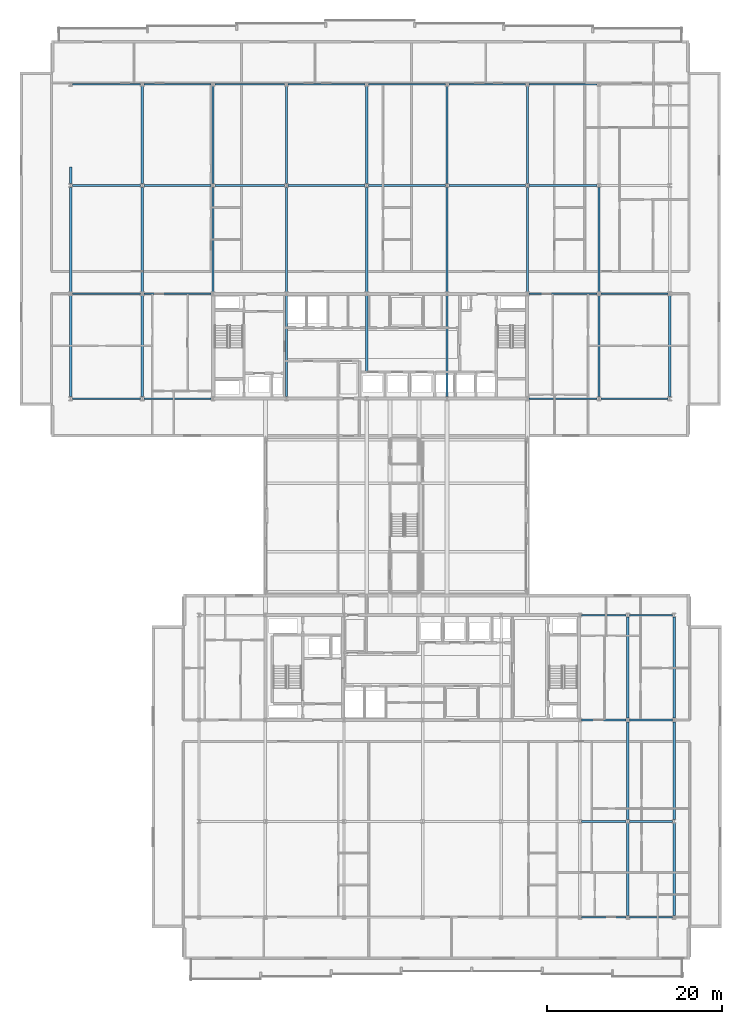
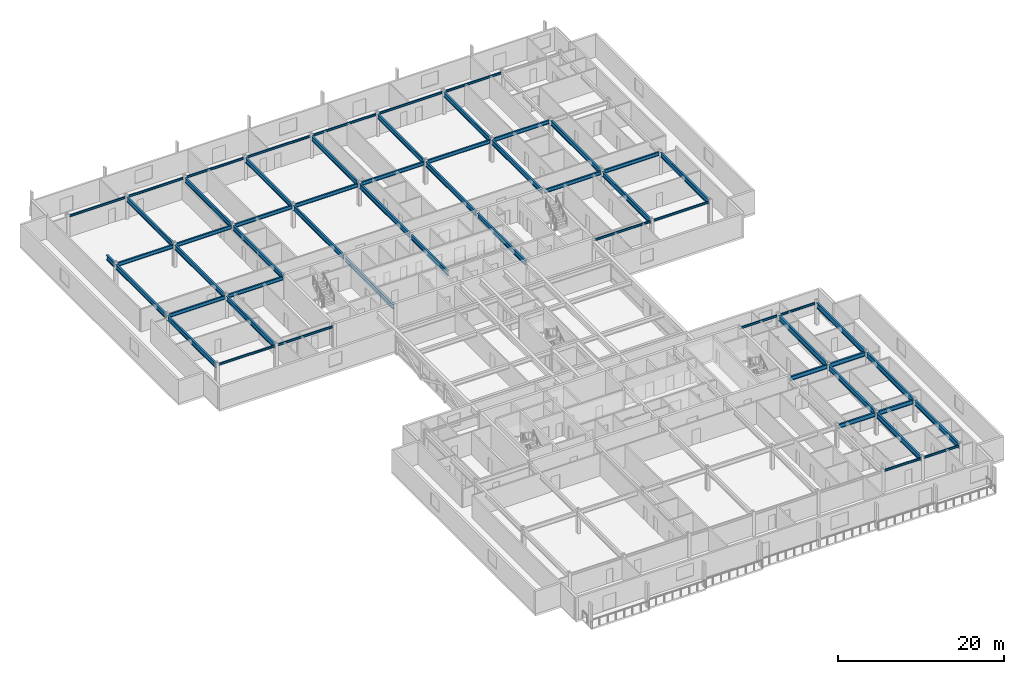
# One storey, part 13 of 35: 58 beams.
"""IFC4 building model written with IfcOpenShell, lengths in metres."""

from ifc_helpers import new_model, si_unit, direction, frame, origin, origin_2d, place, context, subcontext, project, spatial, i_section, extrude, material, material_profile, profile_set, type_object, element, save


model = new_model("IFC4")

# Units and contexts
model_context = context("Model", 3, precision=1e-05, world=origin(), true_north=direction((0.0, 1.0)))
body_context = subcontext(model_context, "Body", "Model", "MODEL_VIEW")
ifc_project = project(units=[si_unit("LENGTHUNIT", "METRE"), si_unit("AREAUNIT", "SQUARE_METRE"), si_unit("VOLUMEUNIT", "CUBIC_METRE"), si_unit("PLANEANGLEUNIT", "RADIAN"), si_unit("MASSUNIT", "GRAM", prefix="KILO")], contexts=[model_context])

# Site, building, storey
site_placement = place(None, origin())
site = spatial("IfcSite", under=ifc_project, at=site_placement, CompositionType="ELEMENT")
building_placement = place(site_placement, origin())
building = spatial("IfcBuilding", under=site, at=building_placement, Name="Korimba Cascade Residences", CompositionType="ELEMENT")
storey_placement = place(building_placement, frame((0.0, 0.0, 150.10009765625)))
storey = spatial("IfcBuildingStorey", under=building, at=storey_placement, Name="L43", CompositionType="ELEMENT", Elevation=150.10009765625)

# Beams
ifc_material = material(Name="Steel S355", Category="steel")
ifc_material_profile_1 = material_profile(ifc_material, i_section(OverallWidth=0.165771484375, OverallDepth=0.306640625, WebThickness=0.006591796875, FlangeThickness=0.01171875, FilletRadius=0.0087890625, at=origin_2d()), Name="Steel S355")
ifc_profile_set_1 = profile_set([ifc_material_profile_1], Name="Steel S355")
beam_type_1 = type_object("IfcBeamType", Name="BM-STL-UB305", PredefinedType="SPANDREL", material=ifc_profile_set_1)
beam_1_placement = place(storey_placement, frame((60.006103515625, 55.199951171875, 3.156494140625), z_axis=(1.0, 0.0, 0.0), x_axis=(0.0, 1.0, 0.0)))
element("IfcBeam", 1, at=beam_1_placement, inside=storey, type_object=beam_type_1, Name="L43 T1 E-W Girder Y1 Bay 1", PredefinedType="SPANDREL", context=body_context, shape_type="SweptSolid", body=[
    extrude(i_section(OverallWidth=0.165771484375, OverallDepth=0.306640625, WebThickness=0.006591796875, FlangeThickness=0.01171875, FilletRadius=0.0087890625, at=origin_2d()), origin(), (0.0, 0.0, 1.0), 7.787841796875),
])
beam_2_placement = place(storey_placement, frame((68.2060546875, 55.199951171875, 3.156494140625), z_axis=(1.0, 0.0, 0.0), x_axis=(0.0, 1.0, 0.0)))
element("IfcBeam", 2, at=beam_2_placement, inside=storey, type_object=beam_type_1, Name="L43 T1 E-W Girder Y1 Bay 2", PredefinedType="SPANDREL", context=body_context, shape_type="SweptSolid", body=[
    extrude(i_section(OverallWidth=0.165771484375, OverallDepth=0.306640625, WebThickness=0.006591796875, FlangeThickness=0.01171875, FilletRadius=0.0087890625, at=origin_2d()), origin(), (0.0, 0.0, 1.0), 7.687744140625),
])
beam_3_placement = place(storey_placement, frame((112.30615234375, 55.199951171875, 3.156494140625), z_axis=(1.0, 0.0, 0.0), x_axis=(0.0, 1.0, 0.0)))
element("IfcBeam", 3, at=beam_3_placement, inside=storey, type_object=beam_type_1, Name="L43 T1 E-W Girder Y1 Bay 7", PredefinedType="SPANDREL", context=body_context, shape_type="SweptSolid", body=[
    extrude(i_section(OverallWidth=0.165771484375, OverallDepth=0.306640625, WebThickness=0.006591796875, FlangeThickness=0.01171875, FilletRadius=0.0087890625, at=origin_2d()), origin(), (0.0, 0.0, 1.0), 7.787841796875),
])
beam_4_placement = place(storey_placement, frame((120.506103515625, 55.199951171875, 3.156494140625), z_axis=(1.0, 0.0, 0.0), x_axis=(0.0, 1.0, 0.0)))
element("IfcBeam", 4, at=beam_4_placement, inside=storey, type_object=beam_type_1, Name="L43 T1 E-W Girder Y1 Bay 8", PredefinedType="SPANDREL", context=body_context, shape_type="SweptSolid", body=[
    extrude(i_section(OverallWidth=0.165771484375, OverallDepth=0.306640625, WebThickness=0.006591796875, FlangeThickness=0.01171875, FilletRadius=0.0087890625, at=origin_2d()), origin(), (0.0, 0.0, 1.0), 7.687744140625),
])
beam_5_placement = place(storey_placement, frame((60.006103515625, 91.199951171875, 3.156494140625), z_axis=(1.0, 0.0, 0.0), x_axis=(0.0, 1.0, 0.0)))
element("IfcBeam", 5, at=beam_5_placement, inside=storey, type_object=beam_type_1, Name="L43 T1 E-W Girder Y4 Bay 1", PredefinedType="SPANDREL", context=body_context, shape_type="SweptSolid", body=[
    extrude(i_section(OverallWidth=0.165771484375, OverallDepth=0.306640625, WebThickness=0.006591796875, FlangeThickness=0.01171875, FilletRadius=0.0087890625, at=origin_2d()), origin(), (0.0, 0.0, 1.0), 7.787841796875),
])
beam_6_placement = place(storey_placement, frame((68.2060546875, 91.199951171875, 3.156494140625), z_axis=(1.0, 0.0, 0.0), x_axis=(0.0, 1.0, 0.0)))
element("IfcBeam", 6, at=beam_6_placement, inside=storey, type_object=beam_type_1, Name="L43 T1 E-W Girder Y4 Bay 2", PredefinedType="SPANDREL", context=body_context, shape_type="SweptSolid", body=[
    extrude(i_section(OverallWidth=0.165771484375, OverallDepth=0.306640625, WebThickness=0.006591796875, FlangeThickness=0.01171875, FilletRadius=0.0087890625, at=origin_2d()), origin(), (0.0, 0.0, 1.0), 7.687744140625),
])
beam_7_placement = place(storey_placement, frame((76.30615234375, 91.199951171875, 3.156494140625), z_axis=(1.0, 0.0, 0.0), x_axis=(0.0, 1.0, 0.0)))
element("IfcBeam", 7, at=beam_7_placement, inside=storey, type_object=beam_type_1, Name="L43 T1 E-W Girder Y4 Bay 3", PredefinedType="SPANDREL", context=body_context, shape_type="SweptSolid", body=[
    extrude(i_section(OverallWidth=0.165771484375, OverallDepth=0.306640625, WebThickness=0.006591796875, FlangeThickness=0.01171875, FilletRadius=0.0087890625, at=origin_2d()), origin(), (0.0, 0.0, 1.0), 7.98779296875),
])
for number, where, z_axis, x_axis, name in (
    (8, (84.7060546875, 91.199951171875, 3.156494140625), (1.0, 0.0, 0.0), (0.0, 1.0, 0.0), "L43 T1 E-W Girder Y4 Bay 4"),
    (9, (93.906005859375, 91.199951171875, 3.156494140625), (1.0, 0.0, 0.0), (0.0, 1.0, 0.0), "L43 T1 E-W Girder Y4 Bay 5"),
):
    element("IfcBeam", number, at=place(storey_placement, frame(where, z_axis=z_axis, x_axis=x_axis)), inside=storey, type_object=beam_type_1, Name=name, PredefinedType="SPANDREL", context=body_context, shape_type="SweptSolid", body=[
        extrude(i_section(OverallWidth=0.165771484375, OverallDepth=0.306640625, WebThickness=0.006591796875, FlangeThickness=0.01171875, FilletRadius=0.0087890625, at=origin_2d()), origin(), (0.0, 0.0, 1.0), 8.787841796875),
    ])
beam_8_placement = place(storey_placement, frame((103.106201171875, 91.199951171875, 3.156494140625), z_axis=(1.0, 0.0, 0.0), x_axis=(0.0, 1.0, 0.0)))
element("IfcBeam", 10, at=beam_8_placement, inside=storey, type_object=beam_type_1, Name="L43 T1 E-W Girder Y4 Bay 6", PredefinedType="SPANDREL", context=body_context, shape_type="SweptSolid", body=[
    extrude(i_section(OverallWidth=0.165771484375, OverallDepth=0.306640625, WebThickness=0.006591796875, FlangeThickness=0.01171875, FilletRadius=0.0087890625, at=origin_2d()), origin(), (0.0, 0.0, 1.0), 8.78759765625),
])
beam_9_placement = place(storey_placement, frame((112.30615234375, 91.199951171875, 3.156494140625), z_axis=(1.0, 0.0, 0.0), x_axis=(0.0, 1.0, 0.0)))
element("IfcBeam", 11, at=beam_9_placement, inside=storey, type_object=beam_type_1, Name="L43 T1 E-W Girder Y4 Bay 7", PredefinedType="SPANDREL", context=body_context, shape_type="SweptSolid", body=[
    extrude(i_section(OverallWidth=0.165771484375, OverallDepth=0.306640625, WebThickness=0.006591796875, FlangeThickness=0.01171875, FilletRadius=0.0087890625, at=origin_2d()), origin(), (0.0, 0.0, 1.0), 7.787841796875),
])
beam_10_placement = place(storey_placement, frame((118.301513671875, -4.199951171875, 3.156494140625), z_axis=(1.0, 0.0, 0.0), x_axis=(0.0, 1.0, 0.0)))
element("IfcBeam", 12, at=beam_10_placement, inside=storey, type_object=beam_type_1, Name="L43 T2 E-W Girder Y1 Bay 6", PredefinedType="SPANDREL", context=body_context, shape_type="SweptSolid", body=[
    extrude(i_section(OverallWidth=0.165771484375, OverallDepth=0.306640625, WebThickness=0.006591796875, FlangeThickness=0.01171875, FilletRadius=0.0087890625, at=origin_2d()), origin(), (0.0, 0.0, 1.0), 5.096923828125),
])
beam_11_placement = place(storey_placement, frame((123.801513671875, -4.199951171875, 3.156494140625), z_axis=(1.0, 0.0, 0.0), x_axis=(0.0, 1.0, 0.0)))
element("IfcBeam", 13, at=beam_11_placement, inside=storey, type_object=beam_type_1, Name="L43 T2 E-W Girder Y1 Bay 7", PredefinedType="SPANDREL", context=body_context, shape_type="SweptSolid", body=[
    extrude(i_section(OverallWidth=0.165771484375, OverallDepth=0.306640625, WebThickness=0.006591796875, FlangeThickness=0.01171875, FilletRadius=0.0087890625, at=origin_2d()), origin(), (0.0, 0.0, 1.0), 4.89697265625),
])
beam_12_placement = place(storey_placement, frame((118.301513671875, 30.39990234375, 3.156494140625), z_axis=(1.0, 0.0, 0.0), x_axis=(0.0, 1.0, 0.0)))
element("IfcBeam", 14, at=beam_12_placement, inside=storey, type_object=beam_type_1, Name="L43 T2 E-W Girder Y4 Bay 6", PredefinedType="SPANDREL", context=body_context, shape_type="SweptSolid", body=[
    extrude(i_section(OverallWidth=0.165771484375, OverallDepth=0.306640625, WebThickness=0.006591796875, FlangeThickness=0.01171875, FilletRadius=0.0087890625, at=origin_2d()), origin(), (0.0, 0.0, 1.0), 5.096923828125),
])
beam_13_placement = place(storey_placement, frame((123.801513671875, 30.39990234375, 3.156494140625), z_axis=(1.0, 0.0, 0.0), x_axis=(0.0, 1.0, 0.0)))
element("IfcBeam", 15, at=beam_13_placement, inside=storey, type_object=beam_type_1, Name="L43 T2 E-W Girder Y4 Bay 7", PredefinedType="SPANDREL", context=body_context, shape_type="SweptSolid", body=[
    extrude(i_section(OverallWidth=0.165771484375, OverallDepth=0.306640625, WebThickness=0.006591796875, FlangeThickness=0.01171875, FilletRadius=0.0087890625, at=origin_2d()), origin(), (0.0, 0.0, 1.0), 4.89697265625),
])
ifc_material_profile_2 = material_profile(ifc_material, i_section(OverallWidth=0.2099609375, OverallDepth=0.53662109375, WebThickness=0.0107421875, FlangeThickness=0.017333984375, FilletRadius=0.0126953125, at=origin_2d()), Name="Steel S355")
ifc_profile_set_2 = profile_set([ifc_material_profile_2], Name="Steel S355")
beam_type_2 = type_object("IfcBeamType", Name="BM-STL-UB533", PredefinedType="BEAM", material=ifc_profile_set_2)
beam_14_placement = place(storey_placement, frame((60.006103515625, 67.199951171875, 3.04150390625), z_axis=(1.0, 0.0, 0.0), x_axis=(0.0, 1.0, 0.0)))
element("IfcBeam", 16, at=beam_14_placement, inside=storey, type_object=beam_type_2, Name="L43 T1 E-W Girder Y2 Bay 1", PredefinedType="BEAM", context=body_context, shape_type="SweptSolid", body=[
    extrude(i_section(OverallWidth=0.2099609375, OverallDepth=0.53662109375, WebThickness=0.0107421875, FlangeThickness=0.017333984375, FilletRadius=0.0126953125, at=origin_2d()), origin(), (0.0, 0.0, 1.0), 7.787841796875),
])
beam_15_placement = place(storey_placement, frame((68.2060546875, 67.199951171875, 3.04150390625), z_axis=(1.0, 0.0, 0.0), x_axis=(0.0, 1.0, 0.0)))
element("IfcBeam", 17, at=beam_15_placement, inside=storey, type_object=beam_type_2, Name="L43 T1 E-W Girder Y2 Bay 2", PredefinedType="BEAM", context=body_context, shape_type="SweptSolid", body=[
    extrude(i_section(OverallWidth=0.2099609375, OverallDepth=0.53662109375, WebThickness=0.0107421875, FlangeThickness=0.017333984375, FilletRadius=0.0126953125, at=origin_2d()), origin(), (0.0, 0.0, 1.0), 7.687744140625),
])
beam_16_placement = place(storey_placement, frame((112.30615234375, 67.199951171875, 3.04150390625), z_axis=(1.0, 0.0, 0.0), x_axis=(0.0, 1.0, 0.0)))
element("IfcBeam", 18, at=beam_16_placement, inside=storey, type_object=beam_type_2, Name="L43 T1 E-W Girder Y2 Bay 7", PredefinedType="BEAM", context=body_context, shape_type="SweptSolid", body=[
    extrude(i_section(OverallWidth=0.2099609375, OverallDepth=0.53662109375, WebThickness=0.0107421875, FlangeThickness=0.017333984375, FilletRadius=0.0126953125, at=origin_2d()), origin(), (0.0, 0.0, 1.0), 7.787841796875),
])
beam_17_placement = place(storey_placement, frame((120.506103515625, 67.199951171875, 3.04150390625), z_axis=(1.0, 0.0, 0.0), x_axis=(0.0, 1.0, 0.0)))
element("IfcBeam", 19, at=beam_17_placement, inside=storey, type_object=beam_type_2, Name="L43 T1 E-W Girder Y2 Bay 8", PredefinedType="BEAM", context=body_context, shape_type="SweptSolid", body=[
    extrude(i_section(OverallWidth=0.2099609375, OverallDepth=0.53662109375, WebThickness=0.0107421875, FlangeThickness=0.017333984375, FilletRadius=0.0126953125, at=origin_2d()), origin(), (0.0, 0.0, 1.0), 7.687744140625),
])
beam_18_placement = place(storey_placement, frame((60.006103515625, 79.60009765625, 3.04150390625), z_axis=(1.0, 0.0, 0.0), x_axis=(0.0, 1.0, 0.0)))
element("IfcBeam", 20, at=beam_18_placement, inside=storey, type_object=beam_type_2, Name="L43 T1 E-W Girder Y3 Bay 1", PredefinedType="BEAM", context=body_context, shape_type="SweptSolid", body=[
    extrude(i_section(OverallWidth=0.2099609375, OverallDepth=0.53662109375, WebThickness=0.0107421875, FlangeThickness=0.017333984375, FilletRadius=0.0126953125, at=origin_2d()), origin(), (0.0, 0.0, 1.0), 7.787841796875),
])
beam_19_placement = place(storey_placement, frame((68.2060546875, 79.60009765625, 3.04150390625), z_axis=(1.0, 0.0, 0.0), x_axis=(0.0, 1.0, 0.0)))
element("IfcBeam", 21, at=beam_19_placement, inside=storey, type_object=beam_type_2, Name="L43 T1 E-W Girder Y3 Bay 2", PredefinedType="BEAM", context=body_context, shape_type="SweptSolid", body=[
    extrude(i_section(OverallWidth=0.2099609375, OverallDepth=0.53662109375, WebThickness=0.0107421875, FlangeThickness=0.017333984375, FilletRadius=0.0126953125, at=origin_2d()), origin(), (0.0, 0.0, 1.0), 7.687744140625),
])
beam_20_placement = place(storey_placement, frame((76.30615234375, 79.60009765625, 3.04150390625), z_axis=(1.0, 0.0, 0.0), x_axis=(0.0, 1.0, 0.0)))
element("IfcBeam", 22, at=beam_20_placement, inside=storey, type_object=beam_type_2, Name="L43 T1 E-W Girder Y3 Bay 3", PredefinedType="BEAM", context=body_context, shape_type="SweptSolid", body=[
    extrude(i_section(OverallWidth=0.2099609375, OverallDepth=0.53662109375, WebThickness=0.0107421875, FlangeThickness=0.017333984375, FilletRadius=0.0126953125, at=origin_2d()), origin(), (0.0, 0.0, 1.0), 7.98779296875),
])
for number, where, z_axis, x_axis, name in (
    (23, (84.7060546875, 79.60009765625, 3.04150390625), (1.0, 0.0, 0.0), (0.0, 1.0, 0.0), "L43 T1 E-W Girder Y3 Bay 4"),
    (24, (93.906005859375, 79.60009765625, 3.04150390625), (1.0, 0.0, 0.0), (0.0, 1.0, 0.0), "L43 T1 E-W Girder Y3 Bay 5"),
):
    element("IfcBeam", number, at=place(storey_placement, frame(where, z_axis=z_axis, x_axis=x_axis)), inside=storey, type_object=beam_type_2, Name=name, PredefinedType="BEAM", context=body_context, shape_type="SweptSolid", body=[
        extrude(i_section(OverallWidth=0.2099609375, OverallDepth=0.53662109375, WebThickness=0.0107421875, FlangeThickness=0.017333984375, FilletRadius=0.0126953125, at=origin_2d()), origin(), (0.0, 0.0, 1.0), 8.787841796875),
    ])
beam_21_placement = place(storey_placement, frame((103.106201171875, 79.60009765625, 3.04150390625), z_axis=(1.0, 0.0, 0.0), x_axis=(0.0, 1.0, 0.0)))
element("IfcBeam", 25, at=beam_21_placement, inside=storey, type_object=beam_type_2, Name="L43 T1 E-W Girder Y3 Bay 6", PredefinedType="BEAM", context=body_context, shape_type="SweptSolid", body=[
    extrude(i_section(OverallWidth=0.2099609375, OverallDepth=0.53662109375, WebThickness=0.0107421875, FlangeThickness=0.017333984375, FilletRadius=0.0126953125, at=origin_2d()), origin(), (0.0, 0.0, 1.0), 8.78759765625),
])
beam_22_placement = place(storey_placement, frame((112.30615234375, 79.60009765625, 3.04150390625), z_axis=(1.0, 0.0, 0.0), x_axis=(0.0, 1.0, 0.0)))
element("IfcBeam", 26, at=beam_22_placement, inside=storey, type_object=beam_type_2, Name="L43 T1 E-W Girder Y3 Bay 7", PredefinedType="BEAM", context=body_context, shape_type="SweptSolid", body=[
    extrude(i_section(OverallWidth=0.2099609375, OverallDepth=0.53662109375, WebThickness=0.0107421875, FlangeThickness=0.017333984375, FilletRadius=0.0126953125, at=origin_2d()), origin(), (0.0, 0.0, 1.0), 7.787841796875),
])
ifc_material_profile_3 = material_profile(ifc_material, i_section(OverallWidth=0.22900390625, OverallDepth=0.6123046875, WebThickness=0.011962890625, FlangeThickness=0.01953125, FilletRadius=0.0126953125, at=origin_2d()), Name="Steel S355")
ifc_profile_set_3 = profile_set([ifc_material_profile_3], Name="Steel S355")
beam_type_3 = type_object("IfcBeamType", Name="BM-STL-UB610B", PredefinedType="BEAM", material=ifc_profile_set_3)
beam_23_placement = place(storey_placement, frame((118.301513671875, 6.800048828125, 3.00390625), z_axis=(1.0, 0.0, 0.0), x_axis=(0.0, 1.0, 0.0)))
element("IfcBeam", 27, at=beam_23_placement, inside=storey, type_object=beam_type_3, Name="L43 T2 E-W Girder Y2 Bay 6", PredefinedType="BEAM", context=body_context, shape_type="SweptSolid", body=[
    extrude(i_section(OverallWidth=0.22900390625, OverallDepth=0.6123046875, WebThickness=0.011962890625, FlangeThickness=0.01953125, FilletRadius=0.0126953125, at=origin_2d()), origin(), (0.0, 0.0, 1.0), 5.096923828125),
])
beam_24_placement = place(storey_placement, frame((123.801513671875, 6.800048828125, 3.00390625), z_axis=(1.0, 0.0, 0.0), x_axis=(0.0, 1.0, 0.0)))
element("IfcBeam", 28, at=beam_24_placement, inside=storey, type_object=beam_type_3, Name="L43 T2 E-W Girder Y2 Bay 7", PredefinedType="BEAM", context=body_context, shape_type="SweptSolid", body=[
    extrude(i_section(OverallWidth=0.22900390625, OverallDepth=0.6123046875, WebThickness=0.011962890625, FlangeThickness=0.01953125, FilletRadius=0.0126953125, at=origin_2d()), origin(), (0.0, 0.0, 1.0), 4.89697265625),
])
beam_25_placement = place(storey_placement, frame((118.301513671875, 18.39990234375, 3.00390625), z_axis=(1.0, 0.0, 0.0), x_axis=(0.0, 1.0, 0.0)))
element("IfcBeam", 29, at=beam_25_placement, inside=storey, type_object=beam_type_3, Name="L43 T2 E-W Girder Y3 Bay 6", PredefinedType="BEAM", context=body_context, shape_type="SweptSolid", body=[
    extrude(i_section(OverallWidth=0.22900390625, OverallDepth=0.6123046875, WebThickness=0.011962890625, FlangeThickness=0.01953125, FilletRadius=0.0126953125, at=origin_2d()), origin(), (0.0, 0.0, 1.0), 5.096923828125),
])
beam_26_placement = place(storey_placement, frame((123.801513671875, 18.39990234375, 3.00390625), z_axis=(1.0, 0.0, 0.0), x_axis=(0.0, 1.0, 0.0)))
element("IfcBeam", 30, at=beam_26_placement, inside=storey, type_object=beam_type_3, Name="L43 T2 E-W Girder Y3 Bay 7", PredefinedType="BEAM", context=body_context, shape_type="SweptSolid", body=[
    extrude(i_section(OverallWidth=0.22900390625, OverallDepth=0.6123046875, WebThickness=0.011962890625, FlangeThickness=0.01953125, FilletRadius=0.0126953125, at=origin_2d()), origin(), (0.0, 0.0, 1.0), 4.89697265625),
])
ifc_material_profile_4 = material_profile(ifc_material, i_section(OverallWidth=0.255859375, OverallDepth=0.69287109375, WebThickness=0.014404296875, FlangeThickness=0.023681640625, FilletRadius=0.01513671875, at=origin_2d()), Name="Steel S355")
ifc_profile_set_4 = profile_set([ifc_material_profile_4], Name="Steel S355")
beam_type_4 = type_object("IfcBeamType", Name="BM-STL-UB686", PredefinedType="BEAM", material=ifc_profile_set_4)
beam_27_placement = place(storey_placement, frame((59.800048828125, 55.418212890625, 2.96337890625), z_axis=(0.0, 1.0, 0.0), x_axis=(-1.0, 0.0, 0.0)))
element("IfcBeam", 31, at=beam_27_placement, inside=storey, type_object=beam_type_4, Name="L43 T1 N-S Girder X1 Seg 1", PredefinedType="BEAM", context=body_context, shape_type="SweptSolid", body=[
    extrude(i_section(OverallWidth=0.255859375, OverallDepth=0.69287109375, WebThickness=0.014404296875, FlangeThickness=0.023681640625, FilletRadius=0.01513671875, at=origin_2d()), origin(), (0.0, 0.0, 1.0), 11.5634765625),
])
beam_28_placement = place(storey_placement, frame((59.800048828125, 67.418212890625, 2.96337890625), z_axis=(0.0, 1.0, 0.0), x_axis=(-1.0, 0.0, 0.0)))
element("IfcBeam", 32, at=beam_28_placement, inside=storey, type_object=beam_type_4, Name="L43 T1 N-S Girder X1 Seg 2", PredefinedType="BEAM", context=body_context, shape_type="SweptSolid", body=[
    extrude(i_section(OverallWidth=0.255859375, OverallDepth=0.69287109375, WebThickness=0.014404296875, FlangeThickness=0.023681640625, FilletRadius=0.01513671875, at=origin_2d()), origin(), (0.0, 0.0, 1.0), 11.96337890625),
])
beam_29_placement = place(storey_placement, frame((59.800048828125, 79.818359375, 2.96337890625), z_axis=(0.0, 1.0, 0.0), x_axis=(-1.0, 0.0, 0.0)))
element("IfcBeam", 33, at=beam_29_placement, inside=storey, type_object=beam_type_4, Name="L43 T1 N-S Girder X1 Seg 3", PredefinedType="BEAM", context=body_context, shape_type="SweptSolid", body=[
    extrude(i_section(OverallWidth=0.255859375, OverallDepth=0.69287109375, WebThickness=0.014404296875, FlangeThickness=0.023681640625, FilletRadius=0.01513671875, at=origin_2d()), origin(), (0.0, 0.0, 1.0), 1.881591796875),
])
beam_30_placement = place(storey_placement, frame((68.0, 55.418212890625, 2.96337890625), z_axis=(0.0, 1.0, 0.0), x_axis=(-1.0, 0.0, 0.0)))
element("IfcBeam", 34, at=beam_30_placement, inside=storey, type_object=beam_type_4, Name="L43 T1 N-S Girder X2 Seg 1", PredefinedType="BEAM", context=body_context, shape_type="SweptSolid", body=[
    extrude(i_section(OverallWidth=0.255859375, OverallDepth=0.69287109375, WebThickness=0.014404296875, FlangeThickness=0.023681640625, FilletRadius=0.01513671875, at=origin_2d()), origin(), (0.0, 0.0, 1.0), 11.5634765625),
])
beam_31_placement = place(storey_placement, frame((68.0, 67.418212890625, 2.96337890625), z_axis=(0.0, 1.0, 0.0), x_axis=(-1.0, 0.0, 0.0)))
element("IfcBeam", 35, at=beam_31_placement, inside=storey, type_object=beam_type_4, Name="L43 T1 N-S Girder X2 Seg 2", PredefinedType="BEAM", context=body_context, shape_type="SweptSolid", body=[
    extrude(i_section(OverallWidth=0.255859375, OverallDepth=0.69287109375, WebThickness=0.014404296875, FlangeThickness=0.023681640625, FilletRadius=0.01513671875, at=origin_2d()), origin(), (0.0, 0.0, 1.0), 11.96337890625),
])
beam_32_placement = place(storey_placement, frame((68.0, 79.818359375, 2.96337890625), z_axis=(0.0, 1.0, 0.0), x_axis=(-1.0, 0.0, 0.0)))
element("IfcBeam", 36, at=beam_32_placement, inside=storey, type_object=beam_type_4, Name="L43 T1 N-S Girder X2 Seg 3", PredefinedType="BEAM", context=body_context, shape_type="SweptSolid", body=[
    extrude(i_section(OverallWidth=0.255859375, OverallDepth=0.69287109375, WebThickness=0.014404296875, FlangeThickness=0.023681640625, FilletRadius=0.01513671875, at=origin_2d()), origin(), (0.0, 0.0, 1.0), 11.163330078125),
])
beam_33_placement = place(storey_placement, frame((76.10009765625, 67.418212890625, 2.96337890625), z_axis=(0.0, 1.0, 0.0), x_axis=(-1.0, 0.0, 0.0)))
element("IfcBeam", 37, at=beam_33_placement, inside=storey, type_object=beam_type_4, Name="L43 T1 N-S Girder X3 Seg 2", PredefinedType="BEAM", context=body_context, shape_type="SweptSolid", body=[
    extrude(i_section(OverallWidth=0.255859375, OverallDepth=0.69287109375, WebThickness=0.014404296875, FlangeThickness=0.023681640625, FilletRadius=0.01513671875, at=origin_2d()), origin(), (0.0, 0.0, 1.0), 11.96337890625),
])
beam_34_placement = place(storey_placement, frame((76.10009765625, 79.818359375, 2.96337890625), z_axis=(0.0, 1.0, 0.0), x_axis=(-1.0, 0.0, 0.0)))
element("IfcBeam", 38, at=beam_34_placement, inside=storey, type_object=beam_type_4, Name="L43 T1 N-S Girder X3 Seg 3", PredefinedType="BEAM", context=body_context, shape_type="SweptSolid", body=[
    extrude(i_section(OverallWidth=0.255859375, OverallDepth=0.69287109375, WebThickness=0.014404296875, FlangeThickness=0.023681640625, FilletRadius=0.01513671875, at=origin_2d()), origin(), (0.0, 0.0, 1.0), 11.163330078125),
])
beam_35_placement = place(storey_placement, frame((84.5, 55.418212890625, 2.96337890625), z_axis=(0.0, 1.0, 0.0), x_axis=(-1.0, 0.0, 0.0)))
element("IfcBeam", 39, at=beam_35_placement, inside=storey, type_object=beam_type_4, Name="L43 T1 N-S Girder X4 Seg 1", PredefinedType="BEAM", context=body_context, shape_type="SweptSolid", body=[
    extrude(i_section(OverallWidth=0.255859375, OverallDepth=0.69287109375, WebThickness=0.014404296875, FlangeThickness=0.023681640625, FilletRadius=0.01513671875, at=origin_2d()), origin(), (0.0, 0.0, 1.0), 11.5634765625),
])
beam_36_placement = place(storey_placement, frame((84.5, 67.418212890625, 2.96337890625), z_axis=(0.0, 1.0, 0.0), x_axis=(-1.0, 0.0, 0.0)))
element("IfcBeam", 40, at=beam_36_placement, inside=storey, type_object=beam_type_4, Name="L43 T1 N-S Girder X4 Seg 2", PredefinedType="BEAM", context=body_context, shape_type="SweptSolid", body=[
    extrude(i_section(OverallWidth=0.255859375, OverallDepth=0.69287109375, WebThickness=0.014404296875, FlangeThickness=0.023681640625, FilletRadius=0.01513671875, at=origin_2d()), origin(), (0.0, 0.0, 1.0), 11.96337890625),
])
beam_37_placement = place(storey_placement, frame((84.5, 79.818359375, 2.96337890625), z_axis=(0.0, 1.0, 0.0), x_axis=(-1.0, 0.0, 0.0)))
element("IfcBeam", 41, at=beam_37_placement, inside=storey, type_object=beam_type_4, Name="L43 T1 N-S Girder X4 Seg 3", PredefinedType="BEAM", context=body_context, shape_type="SweptSolid", body=[
    extrude(i_section(OverallWidth=0.255859375, OverallDepth=0.69287109375, WebThickness=0.014404296875, FlangeThickness=0.023681640625, FilletRadius=0.01513671875, at=origin_2d()), origin(), (0.0, 0.0, 1.0), 11.163330078125),
])
beam_38_placement = place(storey_placement, frame((93.699951171875, 58.159912109375, 2.96337890625), z_axis=(0.0, 1.0, 0.0), x_axis=(-1.0, 0.0, 0.0)))
element("IfcBeam", 42, at=beam_38_placement, inside=storey, type_object=beam_type_4, Name="L43 T1 N-S Girder X5 Seg 1", PredefinedType="BEAM", context=body_context, shape_type="SweptSolid", body=[
    extrude(i_section(OverallWidth=0.255859375, OverallDepth=0.69287109375, WebThickness=0.014404296875, FlangeThickness=0.023681640625, FilletRadius=0.01513671875, at=origin_2d()), origin(), (0.0, 0.0, 1.0), 8.82177734375),
])
beam_39_placement = place(storey_placement, frame((93.699951171875, 67.418212890625, 2.96337890625), z_axis=(0.0, 1.0, 0.0), x_axis=(-1.0, 0.0, 0.0)))
element("IfcBeam", 43, at=beam_39_placement, inside=storey, type_object=beam_type_4, Name="L43 T1 N-S Girder X5 Seg 2", PredefinedType="BEAM", context=body_context, shape_type="SweptSolid", body=[
    extrude(i_section(OverallWidth=0.255859375, OverallDepth=0.69287109375, WebThickness=0.014404296875, FlangeThickness=0.023681640625, FilletRadius=0.01513671875, at=origin_2d()), origin(), (0.0, 0.0, 1.0), 11.96337890625),
])
beam_40_placement = place(storey_placement, frame((93.699951171875, 79.818359375, 2.96337890625), z_axis=(0.0, 1.0, 0.0), x_axis=(-1.0, 0.0, 0.0)))
element("IfcBeam", 44, at=beam_40_placement, inside=storey, type_object=beam_type_4, Name="L43 T1 N-S Girder X5 Seg 3", PredefinedType="BEAM", context=body_context, shape_type="SweptSolid", body=[
    extrude(i_section(OverallWidth=0.255859375, OverallDepth=0.69287109375, WebThickness=0.014404296875, FlangeThickness=0.023681640625, FilletRadius=0.01513671875, at=origin_2d()), origin(), (0.0, 0.0, 1.0), 11.163330078125),
])
beam_41_placement = place(storey_placement, frame((102.89990234375, 55.418212890625, 2.96337890625), z_axis=(0.0, 1.0, 0.0), x_axis=(-1.0, 0.0, 0.0)))
element("IfcBeam", 45, at=beam_41_placement, inside=storey, type_object=beam_type_4, Name="L43 T1 N-S Girder X6 Seg 1", PredefinedType="BEAM", context=body_context, shape_type="SweptSolid", body=[
    extrude(i_section(OverallWidth=0.255859375, OverallDepth=0.69287109375, WebThickness=0.014404296875, FlangeThickness=0.023681640625, FilletRadius=0.01513671875, at=origin_2d()), origin(), (0.0, 0.0, 1.0), 11.5634765625),
])
beam_42_placement = place(storey_placement, frame((102.89990234375, 67.418212890625, 2.96337890625), z_axis=(0.0, 1.0, 0.0), x_axis=(-1.0, 0.0, 0.0)))
element("IfcBeam", 46, at=beam_42_placement, inside=storey, type_object=beam_type_4, Name="L43 T1 N-S Girder X6 Seg 2", PredefinedType="BEAM", context=body_context, shape_type="SweptSolid", body=[
    extrude(i_section(OverallWidth=0.255859375, OverallDepth=0.69287109375, WebThickness=0.014404296875, FlangeThickness=0.023681640625, FilletRadius=0.01513671875, at=origin_2d()), origin(), (0.0, 0.0, 1.0), 11.96337890625),
])
beam_43_placement = place(storey_placement, frame((102.89990234375, 79.818359375, 2.96337890625), z_axis=(0.0, 1.0, 0.0), x_axis=(-1.0, 0.0, 0.0)))
element("IfcBeam", 47, at=beam_43_placement, inside=storey, type_object=beam_type_4, Name="L43 T1 N-S Girder X6 Seg 3", PredefinedType="BEAM", context=body_context, shape_type="SweptSolid", body=[
    extrude(i_section(OverallWidth=0.255859375, OverallDepth=0.69287109375, WebThickness=0.014404296875, FlangeThickness=0.023681640625, FilletRadius=0.01513671875, at=origin_2d()), origin(), (0.0, 0.0, 1.0), 11.163330078125),
])
beam_44_placement = place(storey_placement, frame((112.10009765625, 67.418212890625, 2.96337890625), z_axis=(0.0, 1.0, 0.0), x_axis=(-1.0, 0.0, 0.0)))
element("IfcBeam", 48, at=beam_44_placement, inside=storey, type_object=beam_type_4, Name="L43 T1 N-S Girder X7 Seg 2", PredefinedType="BEAM", context=body_context, shape_type="SweptSolid", body=[
    extrude(i_section(OverallWidth=0.255859375, OverallDepth=0.69287109375, WebThickness=0.014404296875, FlangeThickness=0.023681640625, FilletRadius=0.01513671875, at=origin_2d()), origin(), (0.0, 0.0, 1.0), 11.96337890625),
])
beam_45_placement = place(storey_placement, frame((112.10009765625, 79.818359375, 2.96337890625), z_axis=(0.0, 1.0, 0.0), x_axis=(-1.0, 0.0, 0.0)))
element("IfcBeam", 49, at=beam_45_placement, inside=storey, type_object=beam_type_4, Name="L43 T1 N-S Girder X7 Seg 3", PredefinedType="BEAM", context=body_context, shape_type="SweptSolid", body=[
    extrude(i_section(OverallWidth=0.255859375, OverallDepth=0.69287109375, WebThickness=0.014404296875, FlangeThickness=0.023681640625, FilletRadius=0.01513671875, at=origin_2d()), origin(), (0.0, 0.0, 1.0), 11.163330078125),
])
beam_46_placement = place(storey_placement, frame((120.300048828125, 55.418212890625, 2.96337890625), z_axis=(0.0, 1.0, 0.0), x_axis=(-1.0, 0.0, 0.0)))
element("IfcBeam", 50, at=beam_46_placement, inside=storey, type_object=beam_type_4, Name="L43 T1 N-S Girder X8 Seg 1", PredefinedType="BEAM", context=body_context, shape_type="SweptSolid", body=[
    extrude(i_section(OverallWidth=0.255859375, OverallDepth=0.69287109375, WebThickness=0.014404296875, FlangeThickness=0.023681640625, FilletRadius=0.01513671875, at=origin_2d()), origin(), (0.0, 0.0, 1.0), 11.5634765625),
])
beam_47_placement = place(storey_placement, frame((120.300048828125, 67.418212890625, 2.96337890625), z_axis=(0.0, 1.0, 0.0), x_axis=(-1.0, 0.0, 0.0)))
element("IfcBeam", 51, at=beam_47_placement, inside=storey, type_object=beam_type_4, Name="L43 T1 N-S Girder X8 Seg 2", PredefinedType="BEAM", context=body_context, shape_type="SweptSolid", body=[
    extrude(i_section(OverallWidth=0.255859375, OverallDepth=0.69287109375, WebThickness=0.014404296875, FlangeThickness=0.023681640625, FilletRadius=0.01513671875, at=origin_2d()), origin(), (0.0, 0.0, 1.0), 11.96337890625),
])
beam_48_placement = place(storey_placement, frame((128.39990234375, 55.418212890625, 2.96337890625), z_axis=(0.0, 1.0, 0.0), x_axis=(-1.0, 0.0, 0.0)))
element("IfcBeam", 52, at=beam_48_placement, inside=storey, type_object=beam_type_4, Name="L43 T1 N-S Girder X9 Seg 1", PredefinedType="BEAM", context=body_context, shape_type="SweptSolid", body=[
    extrude(i_section(OverallWidth=0.255859375, OverallDepth=0.69287109375, WebThickness=0.014404296875, FlangeThickness=0.023681640625, FilletRadius=0.01513671875, at=origin_2d()), origin(), (0.0, 0.0, 1.0), 11.5634765625),
])
ifc_material_profile_5 = material_profile(ifc_material, i_section(OverallWidth=0.26806640625, OverallDepth=0.769775390625, WebThickness=0.015625, FlangeThickness=0.025390625, FilletRadius=0.0166015625, at=origin_2d()), Name="Steel S355")
ifc_profile_set_5 = profile_set([ifc_material_profile_5], Name="Steel S355")
beam_type_5 = type_object("IfcBeamType", Name="BM-STL-UB762", PredefinedType="BEAM", material=ifc_profile_set_5)
beam_49_placement = place(storey_placement, frame((123.60009765625, -3.996826171875, 2.925048828125), z_axis=(0.0, 1.0, 0.0), x_axis=(-1.0, 0.0, 0.0)))
element("IfcBeam", 53, at=beam_49_placement, inside=storey, type_object=beam_type_5, Name="L43 T2 N-S Girder X7 Seg 1", PredefinedType="BEAM", context=body_context, shape_type="SweptSolid", body=[
    extrude(i_section(OverallWidth=0.26806640625, OverallDepth=0.769775390625, WebThickness=0.015625, FlangeThickness=0.025390625, FilletRadius=0.0166015625, at=origin_2d()), origin(), (0.0, 0.0, 1.0), 10.593505859375),
])
beam_50_placement = place(storey_placement, frame((123.60009765625, 7.003173828125, 2.925048828125), z_axis=(0.0, 1.0, 0.0), x_axis=(-1.0, 0.0, 0.0)))
element("IfcBeam", 54, at=beam_50_placement, inside=storey, type_object=beam_type_5, Name="L43 T2 N-S Girder X7 Seg 2", PredefinedType="BEAM", context=body_context, shape_type="SweptSolid", body=[
    extrude(i_section(OverallWidth=0.26806640625, OverallDepth=0.769775390625, WebThickness=0.015625, FlangeThickness=0.025390625, FilletRadius=0.0166015625, at=origin_2d()), origin(), (0.0, 0.0, 1.0), 11.193603515625),
])
beam_51_placement = place(storey_placement, frame((123.60009765625, 18.603271484375, 2.925048828125), z_axis=(0.0, 1.0, 0.0), x_axis=(-1.0, 0.0, 0.0)))
element("IfcBeam", 55, at=beam_51_placement, inside=storey, type_object=beam_type_5, Name="L43 T2 N-S Girder X7 Seg 3", PredefinedType="BEAM", context=body_context, shape_type="SweptSolid", body=[
    extrude(i_section(OverallWidth=0.26806640625, OverallDepth=0.769775390625, WebThickness=0.015625, FlangeThickness=0.025390625, FilletRadius=0.0166015625, at=origin_2d()), origin(), (0.0, 0.0, 1.0), 11.593505859375),
])
beam_52_placement = place(storey_placement, frame((128.89990234375, -3.996826171875, 2.925048828125), z_axis=(0.0, 1.0, 0.0), x_axis=(-1.0, 0.0, 0.0)))
element("IfcBeam", 56, at=beam_52_placement, inside=storey, type_object=beam_type_5, Name="L43 T2 N-S Girder X8 Seg 1", PredefinedType="BEAM", context=body_context, shape_type="SweptSolid", body=[
    extrude(i_section(OverallWidth=0.26806640625, OverallDepth=0.769775390625, WebThickness=0.015625, FlangeThickness=0.025390625, FilletRadius=0.0166015625, at=origin_2d()), origin(), (0.0, 0.0, 1.0), 10.593505859375),
])
beam_53_placement = place(storey_placement, frame((128.89990234375, 7.003173828125, 2.925048828125), z_axis=(0.0, 1.0, 0.0), x_axis=(-1.0, 0.0, 0.0)))
element("IfcBeam", 57, at=beam_53_placement, inside=storey, type_object=beam_type_5, Name="L43 T2 N-S Girder X8 Seg 2", PredefinedType="BEAM", context=body_context, shape_type="SweptSolid", body=[
    extrude(i_section(OverallWidth=0.26806640625, OverallDepth=0.769775390625, WebThickness=0.015625, FlangeThickness=0.025390625, FilletRadius=0.0166015625, at=origin_2d()), origin(), (0.0, 0.0, 1.0), 11.193603515625),
])
beam_54_placement = place(storey_placement, frame((128.89990234375, 18.603271484375, 2.925048828125), z_axis=(0.0, 1.0, 0.0), x_axis=(-1.0, 0.0, 0.0)))
element("IfcBeam", 58, at=beam_54_placement, inside=storey, type_object=beam_type_5, Name="L43 T2 N-S Girder X8 Seg 3", PredefinedType="BEAM", context=body_context, shape_type="SweptSolid", body=[
    extrude(i_section(OverallWidth=0.26806640625, OverallDepth=0.769775390625, WebThickness=0.015625, FlangeThickness=0.025390625, FilletRadius=0.0166015625, at=origin_2d()), origin(), (0.0, 0.0, 1.0), 11.593505859375),
])

save(model, "model.ifc")
